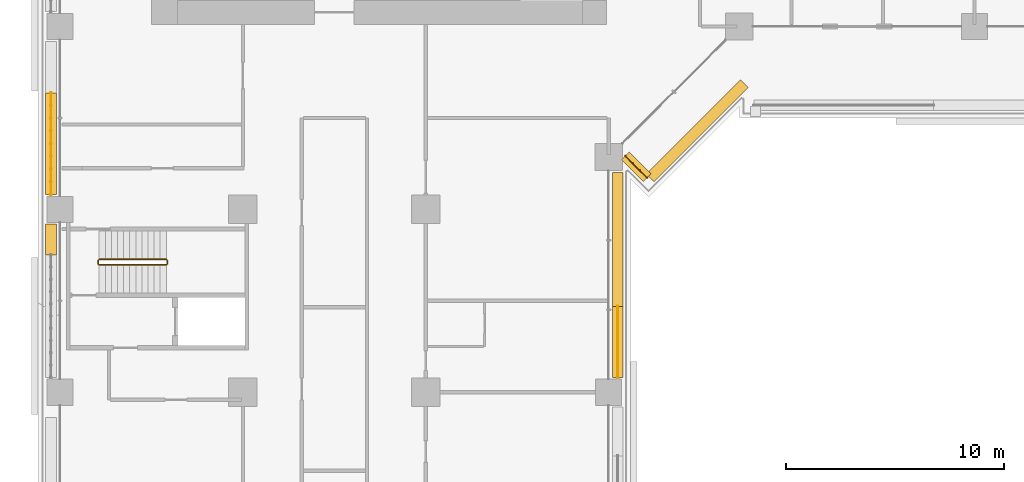
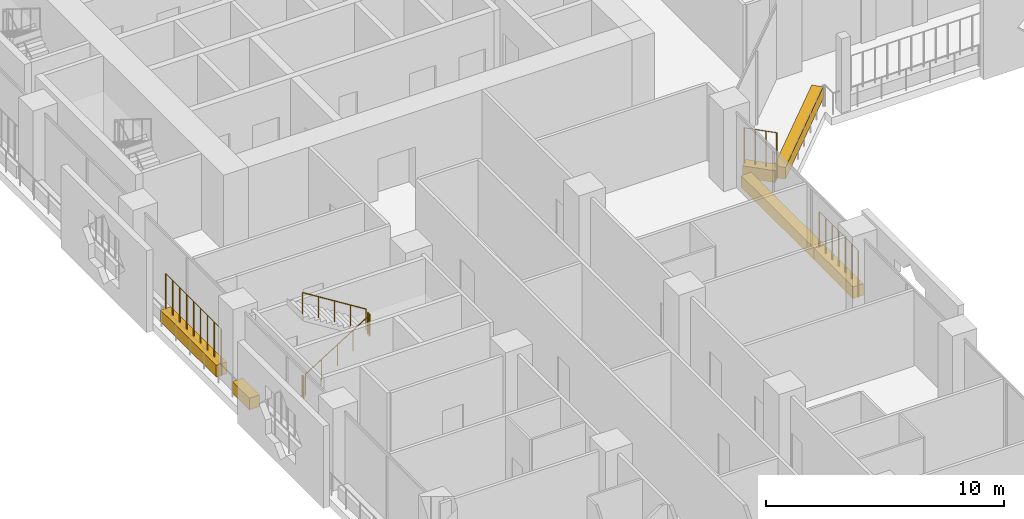
# One storey, part 22 of 28: 7 railings, 6 coverings.
"""IFC4 building model written with IfcOpenShell, lengths in metres."""

from ifc_helpers import new_model, si_unit, direction, frame, origin, origin_2d, place, context, subcontext, project, spatial, rectangle, circle, extrude, material, material_profile, profile_set, type_object, element, save


model = new_model("IFC4")

# Units and contexts
model_context = context("Model", 3, precision=1e-05, world=origin(), true_north=direction((0.0, 1.0)))
body_context = subcontext(model_context, "Body", "Model", "MODEL_VIEW")
ifc_project = project(units=[si_unit("LENGTHUNIT", "METRE"), si_unit("AREAUNIT", "SQUARE_METRE"), si_unit("VOLUMEUNIT", "CUBIC_METRE"), si_unit("PLANEANGLEUNIT", "RADIAN"), si_unit("MASSUNIT", "GRAM", prefix="KILO")], contexts=[model_context])

# Site, building, storey
site_placement = place(None, origin())
site = spatial("IfcSite", under=ifc_project, at=site_placement, CompositionType="ELEMENT")
building_placement = place(site_placement, origin())
building = spatial("IfcBuilding", under=site, at=building_placement, Name="Kawkab Arch Medical Tower", CompositionType="ELEMENT")
storey_placement = place(building_placement, frame((0.0, 0.0, 77.0)))
storey = spatial("IfcBuildingStorey", under=building, at=storey_placement, Name="L17", CompositionType="ELEMENT", Elevation=77.0)

# Coverings
ifc_material_1 = material(Name="Planting soil in a precast trough", Category="concrete")
ifc_material_profile = material_profile(ifc_material_1, rectangle(XDim=0.5, YDim=0.60009765625, at=origin_2d()), Name="Trough 500x600")
ifc_profile_set = profile_set([ifc_material_profile], Name="Planting soil in a precast trough")
covering_type = type_object("IfcCoveringType", Name="Planter trough 500 x 600", PredefinedType="USERDEFINED", material=ifc_profile_set)
covering_1_placement = place(storey_placement, frame((-0.419921875, -35.699951171875, 0.300048828125), z_axis=(0.0, 1.0, 0.0), x_axis=(-1.0, 0.0, 0.0)))
element("IfcCovering", 1, at=covering_1_placement, inside=storey, type_object=covering_type, Name="Planter L17.LOG-01-01.10", ObjectType="PLANTER", PredefinedType="USERDEFINED", context=body_context, shape_type="SweptSolid", body=[
    extrude(rectangle(XDim=0.5, YDim=0.60009765625, at=origin_2d()), origin(), (0.0, 0.0, 1.0), 1.419921875),
])
covering_2_placement = place(storey_placement, frame((-0.419921875, -32.919921875, 0.300048828125), z_axis=(0.0, 1.0, 0.0), x_axis=(-1.0, 0.0, 0.0)))
element("IfcCovering", 2, at=covering_2_placement, inside=storey, type_object=covering_type, Name="Planter L17.LOG-01-01.11", ObjectType="PLANTER", PredefinedType="USERDEFINED", context=body_context, shape_type="SweptSolid", body=[
    extrude(rectangle(XDim=0.5, YDim=0.60009765625, at=origin_2d()), origin(), (0.0, 0.0, 1.0), 4.676025390625),
])
covering_3_placement = place(storey_placement, frame((31.43701171875, -27.820068359375, 0.300048828125), z_axis=(-0.707206504313, -0.707007043994, 0.0), x_axis=(0.707007043994, -0.707206504313, 0.0)))
element("IfcCovering", 3, at=covering_3_placement, inside=storey, type_object=covering_type, Name="Planter L17.LOG-01-01.42", ObjectType="PLANTER", PredefinedType="USERDEFINED", context=body_context, shape_type="SweptSolid", body=[
    extrude(rectangle(XDim=0.5, YDim=0.60009765625, at=origin_2d()), origin(), (0.0, 0.0, 1.0), 6.1201171875),
])
covering_4_placement = place(storey_placement, frame((26.967041015625, -32.14697265625, 0.300048828125), z_axis=(-0.707192746389, 0.707020805532, 0.0), x_axis=(-0.707020805532, -0.707192746389, 0.0)))
element("IfcCovering", 4, at=covering_4_placement, inside=storey, type_object=covering_type, Name="Planter L17.LOG-01-01.43", ObjectType="PLANTER", PredefinedType="USERDEFINED", context=body_context, shape_type="SweptSolid", body=[
    extrude(rectangle(XDim=0.5, YDim=0.60009765625, at=origin_2d()), origin(), (0.0, 0.0, 1.0), 1.419921875),
])
covering_5_placement = place(storey_placement, frame((25.6201171875, -31.905029296875, 0.300048828125), z_axis=(0.0, -1.0, 0.0), x_axis=(1.0, 0.0, 0.0)))
element("IfcCovering", 5, at=covering_5_placement, inside=storey, type_object=covering_type, Name="Planter L17.LOG-01-01.44", ObjectType="PLANTER", PredefinedType="USERDEFINED", context=body_context, shape_type="SweptSolid", body=[
    extrude(rectangle(XDim=0.5, YDim=0.60009765625, at=origin_2d()), origin(), (0.0, 0.0, 1.0), 6.14794921875),
])
covering_6_placement = place(storey_placement, frame((25.6201171875, -38.052978515625, 0.300048828125), z_axis=(0.0, -1.0, 0.0), x_axis=(1.0, 0.0, 0.0)))
element("IfcCovering", 6, at=covering_6_placement, inside=storey, type_object=covering_type, Name="Planter L17.LOG-01-01.45", ObjectType="PLANTER", PredefinedType="USERDEFINED", context=body_context, shape_type="SweptSolid", body=[
    extrude(rectangle(XDim=0.5, YDim=0.60009765625, at=origin_2d()), origin(), (0.0, 0.0, 1.0), 3.26708984375),
])

# Railings
ifc_material_2 = material(Name="Bronze anodised aluminium trellis for climbing plants", Category="aluminium")
railing_type_1 = type_object("IfcRailingType", Name="Planting trellis 2400", PredefinedType="USERDEFINED", material=ifc_material_2)
railing_1_placement = place(storey_placement, frame((-0.419921875, -32.919921875, 0.0)))
element("IfcRailing", 7, at=railing_1_placement, inside=storey, type_object=railing_type_1, Name="Planting trellis L17.LOG-01-01.11", ObjectType="TRELLIS", PredefinedType="USERDEFINED", context=body_context, shape_type="SweptSolid", body=[
    extrude(circle(Radius=0.01513671875, at=origin_2d()), frame((0.0, 0.0, 2.384765625), z_axis=(0.0, 1.0, 0.0), x_axis=(-1.0, 0.0, 0.0)), (0.0, 0.0, 1.0), 4.676025390625),
    extrude(circle(Radius=0.030029296875, at=origin_2d()), origin(), (0.0, 0.0, 1.0), 2.369873046875),
    extrude(circle(Radius=0.030029296875, at=origin_2d()), frame((0.0, 0.58447265625, 0.0)), (0.0, 0.0, 1.0), 2.369873046875),
    extrude(circle(Radius=0.030029296875, at=origin_2d()), frame((0.0, 1.1689453125, 0.0)), (0.0, 0.0, 1.0), 2.369873046875),
    extrude(circle(Radius=0.030029296875, at=origin_2d()), frame((0.0, 1.75341796875, 0.0)), (0.0, 0.0, 1.0), 2.369873046875),
    extrude(circle(Radius=0.030029296875, at=origin_2d()), frame((0.0, 2.337890625, 0.0)), (0.0, 0.0, 1.0), 2.369873046875),
    extrude(circle(Radius=0.030029296875, at=origin_2d()), frame((0.0, 2.922607421875, 0.0)), (0.0, 0.0, 1.0), 2.369873046875),
    extrude(circle(Radius=0.030029296875, at=origin_2d()), frame((0.0, 3.507080078125, 0.0)), (0.0, 0.0, 1.0), 2.369873046875),
    extrude(circle(Radius=0.030029296875, at=origin_2d()), frame((0.0, 4.091552734375, 0.0)), (0.0, 0.0, 1.0), 2.369873046875),
    extrude(circle(Radius=0.030029296875, at=origin_2d()), frame((0.0, 4.676025390625, 0.0)), (0.0, 0.0, 1.0), 2.369873046875),
])
railing_2_placement = place(storey_placement, frame((26.967041015625, -32.14697265625, 0.0)))
element("IfcRailing", 8, at=railing_2_placement, inside=storey, type_object=railing_type_1, Name="Planting trellis L17.LOG-01-01.43", ObjectType="TRELLIS", PredefinedType="USERDEFINED", context=body_context, shape_type="SweptSolid", body=[
    extrude(circle(Radius=0.01513671875, at=origin_2d()), frame((0.0, 0.0, 2.384765625), z_axis=(-0.707192746389, 0.707020805532, 0.0), x_axis=(-0.707020805532, -0.707192746389, 0.0)), (0.0, 0.0, 1.0), 1.419921875),
    extrude(circle(Radius=0.030029296875, at=origin_2d()), origin(), (0.0, 0.0, 1.0), 2.369873046875),
    extrude(circle(Radius=0.030029296875, at=origin_2d()), frame((-0.334716796875, 0.334716796875, 0.0)), (0.0, 0.0, 1.0), 2.369873046875),
    extrude(circle(Radius=0.030029296875, at=origin_2d()), frame((-0.66943359375, 0.669189453125, 0.0)), (0.0, 0.0, 1.0), 2.369873046875),
    extrude(circle(Radius=0.030029296875, at=origin_2d()), frame((-1.004150390625, 1.00390625, 0.0)), (0.0, 0.0, 1.0), 2.369873046875),
])
railing_3_placement = place(storey_placement, frame((25.6201171875, -38.052978515625, 0.0)))
element("IfcRailing", 9, at=railing_3_placement, inside=storey, type_object=railing_type_1, Name="Planting trellis L17.LOG-01-01.45", ObjectType="TRELLIS", PredefinedType="USERDEFINED", context=body_context, shape_type="SweptSolid", body=[
    extrude(circle(Radius=0.01513671875, at=origin_2d()), frame((0.0, 0.0, 2.384765625), z_axis=(0.0, -1.0, 0.0), x_axis=(1.0, 0.0, 0.0)), (0.0, 0.0, 1.0), 3.26708984375),
    extrude(circle(Radius=0.030029296875, at=origin_2d()), origin(), (0.0, 0.0, 1.0), 2.369873046875),
    extrude(circle(Radius=0.030029296875, at=origin_2d()), frame((0.0, -0.54443359375, 0.0)), (0.0, 0.0, 1.0), 2.369873046875),
    extrude(circle(Radius=0.030029296875, at=origin_2d()), frame((0.0, -1.089111328125, 0.0)), (0.0, 0.0, 1.0), 2.369873046875),
    extrude(circle(Radius=0.030029296875, at=origin_2d()), frame((0.0, -1.633544921875, 0.0)), (0.0, 0.0, 1.0), 2.369873046875),
    extrude(circle(Radius=0.030029296875, at=origin_2d()), frame((0.0, -2.177978515625, 0.0)), (0.0, 0.0, 1.0), 2.369873046875),
    extrude(circle(Radius=0.030029296875, at=origin_2d()), frame((0.0, -2.72265625, 0.0)), (0.0, 0.0, 1.0), 2.369873046875),
    extrude(circle(Radius=0.030029296875, at=origin_2d()), frame((0.0, -3.26708984375, 0.0)), (0.0, 0.0, 1.0), 2.369873046875),
])
ifc_material_3 = material(Name="Stainless steel", Category="steel")
railing_type_2 = type_object("IfcRailingType", Name="Stair guard 1100", PredefinedType="GUARDRAIL", material=ifc_material_3)
railing_4_placement = place(storey_placement, frame((1.800048828125, -36.14990234375, 0.175048828125)))
element("IfcRailing", 10, at=railing_4_placement, inside=storey, type_object=railing_type_2, Name="L17 ST6 stair guard 1", PredefinedType="GUARDRAIL", context=body_context, shape_type="SweptSolid", body=[
    extrude(circle(Radius=0.02392578125, at=origin_2d()), frame((0.0, 0.0, 1.076171875), z_axis=(0.847979421464, 0.0, 0.530029150871), x_axis=(0.0, 1.0, 0.0)), (0.0, 0.0, 1.0), 3.632080078125),
    extrude(circle(Radius=0.02099609375, at=origin_2d()), origin(), (0.0, 0.0, 1.0), 1.052001953125),
    extrude(circle(Radius=0.02099609375, at=origin_2d()), frame((0.77001953125, 0.0, 0.481201171875)), (0.0, 0.0, 1.0), 1.052001953125),
    extrude(circle(Radius=0.02099609375, at=origin_2d()), frame((1.5400390625, 0.0, 0.96240234375)), (0.0, 0.0, 1.0), 1.052001953125),
    extrude(circle(Radius=0.02099609375, at=origin_2d()), frame((2.309814453125, 0.0, 1.44384765625)), (0.0, 0.0, 1.0), 1.052001953125),
    extrude(circle(Radius=0.02099609375, at=origin_2d()), frame((3.079833984375, 0.0, 1.925048828125)), (0.0, 0.0, 1.0), 1.052001953125),
])
railing_5_placement = place(storey_placement, frame((4.929931640625, -36.10009765625, 2.10009765625)))
element("IfcRailing", 11, at=railing_5_placement, inside=storey, type_object=railing_type_2, Name="L17 ST6 stair guard 2", PredefinedType="GUARDRAIL", context=body_context, shape_type="SweptSolid", body=[
    extrude(circle(Radius=0.02392578125, at=origin_2d()), frame((0.0, 0.0, 1.076171875), z_axis=(0.0, 1.0, 0.0), x_axis=(-1.0, 0.0, 0.0)), (0.0, 0.0, 1.0), 0.150146484375),
    extrude(circle(Radius=0.02099609375, at=origin_2d()), origin(), (0.0, 0.0, 1.0), 1.052001953125),
    extrude(circle(Radius=0.02099609375, at=origin_2d()), frame((0.0, 0.150146484375, 0.0)), (0.0, 0.0, 1.0), 1.052001953125),
])
railing_6_placement = place(storey_placement, frame((4.8798828125, -35.89990234375, 2.27490234375)))
element("IfcRailing", 12, at=railing_6_placement, inside=storey, type_object=railing_type_2, Name="L17 ST6 stair guard 3", PredefinedType="GUARDRAIL", context=body_context, shape_type="SweptSolid", body=[
    extrude(circle(Radius=0.02392578125, at=origin_2d()), frame((0.0, 0.0, 1.076171875), z_axis=(-0.847979421464, 0.0, 0.530029150871), x_axis=(0.0, -1.0, 0.0)), (0.0, 0.0, 1.0), 3.632080078125),
    extrude(circle(Radius=0.02099609375, at=origin_2d()), origin(), (0.0, 0.0, 1.0), 1.052001953125),
    extrude(circle(Radius=0.02099609375, at=origin_2d()), frame((-0.77001953125, 0.0, 0.481201171875)), (0.0, 0.0, 1.0), 1.052001953125),
    extrude(circle(Radius=0.02099609375, at=origin_2d()), frame((-1.5400390625, 0.0, 0.96240234375)), (0.0, 0.0, 1.0), 1.052001953125),
    extrude(circle(Radius=0.02099609375, at=origin_2d()), frame((-2.309814453125, 0.0, 1.44384765625)), (0.0, 0.0, 1.0), 1.052001953125),
    extrude(circle(Radius=0.02099609375, at=origin_2d()), frame((-3.079833984375, 0.0, 1.925048828125)), (0.0, 0.0, 1.0), 1.052001953125),
])
railing_7_placement = place(storey_placement, frame((1.75, -36.10009765625, 0.0)))
element("IfcRailing", 13, at=railing_7_placement, inside=storey, type_object=railing_type_2, Name="L17 ST6 stair guard 4", PredefinedType="GUARDRAIL", context=body_context, shape_type="SweptSolid", body=[
    extrude(circle(Radius=0.02392578125, at=origin_2d()), frame((0.0, 0.0, 1.076171875), z_axis=(0.0, 1.0, 0.0), x_axis=(-1.0, 0.0, 0.0)), (0.0, 0.0, 1.0), 0.150146484375),
    extrude(circle(Radius=0.02099609375, at=origin_2d()), origin(), (0.0, 0.0, 1.0), 1.052001953125),
    extrude(circle(Radius=0.02099609375, at=origin_2d()), frame((0.0, 0.150146484375, 0.0)), (0.0, 0.0, 1.0), 1.052001953125),
])

save(model, "model.ifc")
